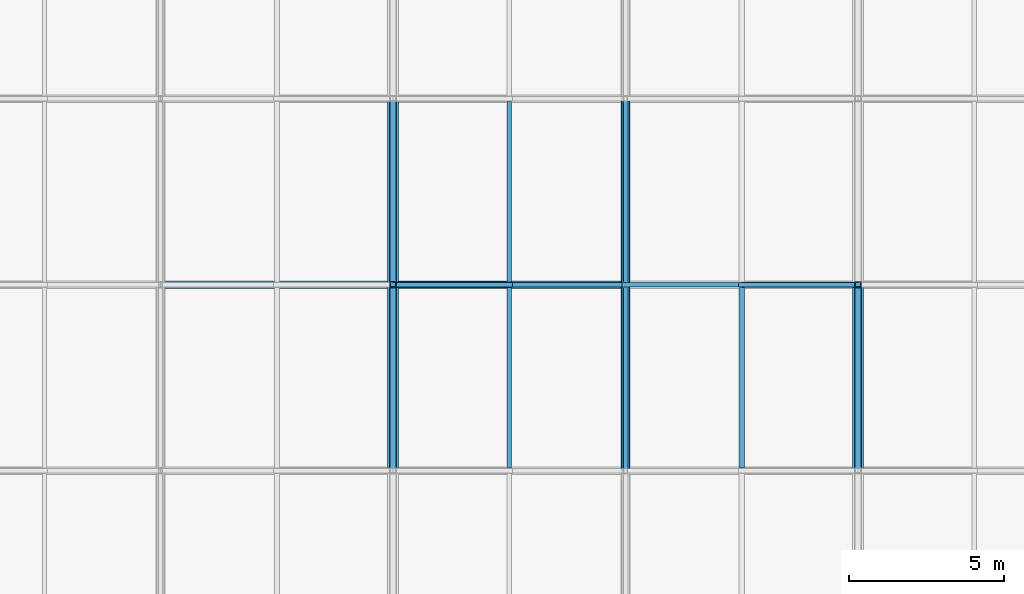
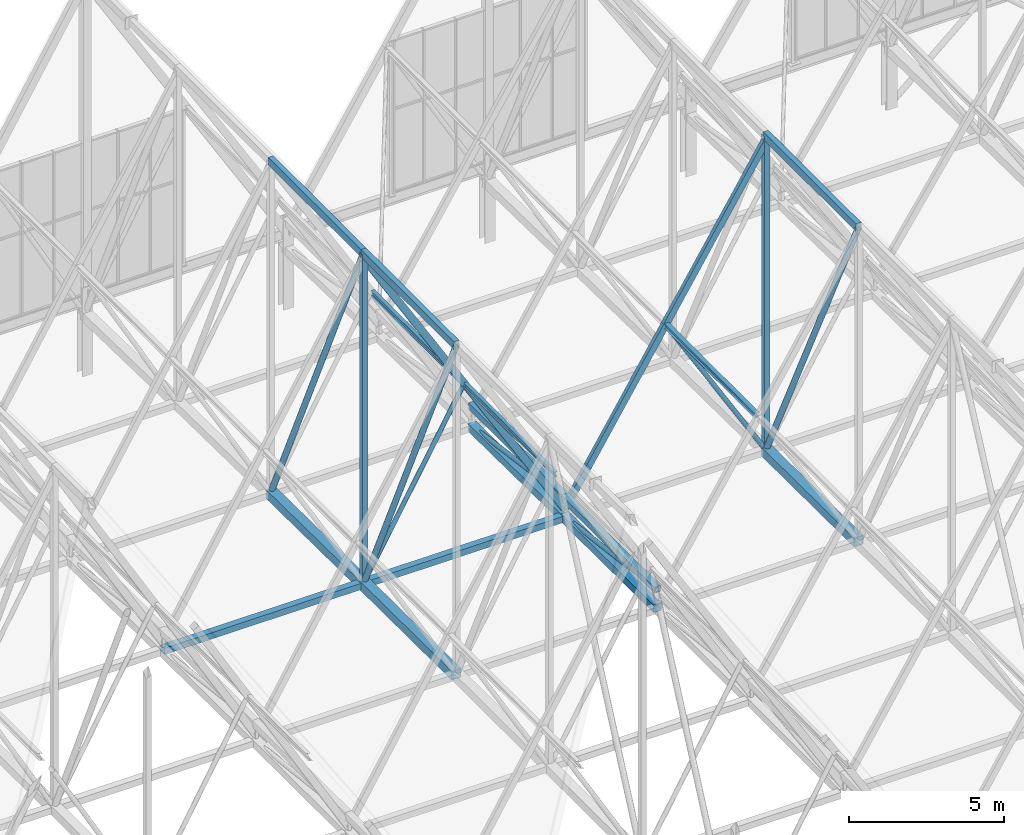
# One storey, part 161 of 324: 24 members, 3 beams.
"""IFC4 building model written with IfcOpenShell, lengths in metres."""

from ifc_helpers import new_model, si_unit, direction, frame, origin, origin_2d, place, context, subcontext, project, spatial, hollow_rectangle, hollow_circle, i_section, extrude, material, material_profile, profile_set, type_object, element, save


model = new_model("IFC4")

# Units and contexts
model_context = context("Model", 3, precision=1e-05, world=origin(), true_north=direction((0.0, 1.0)))
body_context = subcontext(model_context, "Body", "Model", "MODEL_VIEW")
ifc_project = project(units=[si_unit("LENGTHUNIT", "METRE"), si_unit("AREAUNIT", "SQUARE_METRE"), si_unit("VOLUMEUNIT", "CUBIC_METRE"), si_unit("PLANEANGLEUNIT", "RADIAN"), si_unit("MASSUNIT", "GRAM", prefix="KILO")], contexts=[model_context])

# Site, building, storey
site_placement = place(None, origin())
site = spatial("IfcSite", under=ifc_project, at=site_placement, CompositionType="ELEMENT")
building_placement = place(site_placement, origin())
building = spatial("IfcBuilding", under=site, at=building_placement, Name="Solvenia Promenade Tram Depot", CompositionType="ELEMENT")
storey_placement = place(building_placement, frame((0.0, 0.0, 4.5)))
storey = spatial("IfcBuildingStorey", under=building, at=storey_placement, Name="L01", CompositionType="ELEMENT", Elevation=4.5)

# Members
ifc_material_1 = material(Name="Structural steel ASTM A500 Gr. C", Category="steel")
ifc_material_profile_1 = material_profile(ifc_material_1, hollow_circle(Radius=0.109619140625, WallThickness=0.008056640625, at=origin_2d()), Name="CHS219.1x8", Category="steel")
ifc_profile_set_1 = profile_set([ifc_material_profile_1], Name="Structural steel ASTM A500 Gr. C")
member_type_1 = type_object("IfcMemberType", Name="Brace-CHS219x8", PredefinedType="BRACE", material=ifc_profile_set_1)
member_1_placement = place(storey_placement, frame((112.5, 108.0, 2.614013671875), z_axis=(0.0, -0.418183944587, 0.908362366289), x_axis=(1.0, 0.0, 0.0)))
element("IfcMember", 1, at=member_1_placement, inside=storey, type_object=member_type_1, Name="Arched Truss T16 Web Diagonal S07", PredefinedType="BRACE", context=body_context, shape_type="SweptSolid", body=[
    extrude(hollow_circle(Radius=0.109619140625, WallThickness=0.008056640625, at=origin_2d()), origin(), (0.0, 0.0, 1.0), 14.34765625),
])
member_2_placement = place(storey_placement, frame((112.5, 114.0, 2.5439453125), z_axis=(0.0, -0.416336188857, 0.909210744464), x_axis=(1.0, 0.0, 0.0)))
element("IfcMember", 2, at=member_2_placement, inside=storey, type_object=member_type_1, Name="Arched Truss T16 Web Diagonal S08", PredefinedType="BRACE", context=body_context, shape_type="SweptSolid", body=[
    extrude(hollow_circle(Radius=0.109619140625, WallThickness=0.008056640625, at=origin_2d()), origin(), (0.0, 0.0, 1.0), 14.411376953125),
])
member_3_placement = place(storey_placement, frame((127.5, 108.0, 2.614013671875), z_axis=(0.0, -0.43482130343, 0.900516759468), x_axis=(1.0, 0.0, 0.0)))
element("IfcMember", 3, at=member_3_placement, inside=storey, type_object=member_type_1, Name="Arched Truss T18 Web Diagonal S07", PredefinedType="BRACE", context=body_context, shape_type="SweptSolid", body=[
    extrude(hollow_circle(Radius=0.109619140625, WallThickness=0.008056640625, at=origin_2d()), origin(), (0.0, 0.0, 1.0), 13.798828125),
])
ifc_material_profile_2 = material_profile(ifc_material_1, hollow_rectangle(XDim=0.14990234375, YDim=0.25, WallThickness=0.010009765625, at=origin_2d()), Name="HSS250x150x10", Category="steel")
ifc_profile_set_2 = profile_set([ifc_material_profile_2], Name="Structural steel ASTM A500 Gr. C")
member_type_2 = type_object("IfcMemberType", Name="Chord-HSS250x150x10", PredefinedType="CHORD", material=ifc_profile_set_2)
for number, where, z_axis, x_axis, name in (
    (4, (112.5, 108.0, 15.42724609375), (0.514584433357, 0.0, -0.857439712718), (0.0, 1.0, 0.0), "Zigzag Gable 08 East Upper Rafter"),
    (5, (116.25, 108.0, 9.1787109375), (0.514584433357, 0.0, -0.857439712718), (0.0, 1.0, 0.0), "Zigzag Gable 08 East Lower Rafter"),
):
    element("IfcMember", number, at=place(storey_placement, frame(where, z_axis=z_axis, x_axis=x_axis)), inside=storey, type_object=member_type_2, Name=name, PredefinedType="CHORD", context=body_context, shape_type="SweptSolid", body=[
        extrude(hollow_rectangle(XDim=0.14990234375, YDim=0.25, WallThickness=0.010009765625, at=origin_2d()), origin(), (0.0, 0.0, 1.0), 7.287353515625),
    ])
member_4_placement = place(storey_placement, frame((120.0, 108.0, 2.942626953125), z_axis=(0.533506771487, 0.0, 0.845795793781), x_axis=(0.0, 1.0, 0.0)))
element("IfcMember", 6, at=member_4_placement, inside=storey, type_object=member_type_2, Name="Zigzag Gable 09 West Lower Rafter", PredefinedType="CHORD", context=body_context, shape_type="SweptSolid", body=[
    extrude(hollow_rectangle(XDim=0.14990234375, YDim=0.25, WallThickness=0.010009765625, at=origin_2d()), origin(), (0.0, 0.0, 1.0), 7.029052734375),
])
member_5_placement = place(storey_placement, frame((123.75, 108.0, 8.8876953125), z_axis=(0.533522444929, 0.0, 0.845785907164), x_axis=(0.0, 1.0, 0.0)))
element("IfcMember", 7, at=member_5_placement, inside=storey, type_object=member_type_2, Name="Zigzag Gable 09 West Upper Rafter", PredefinedType="CHORD", context=body_context, shape_type="SweptSolid", body=[
    extrude(hollow_rectangle(XDim=0.14990234375, YDim=0.25, WallThickness=0.010009765625, at=origin_2d()), origin(), (0.0, 0.0, 1.0), 7.02880859375),
])
ifc_material_profile_3 = material_profile(ifc_material_1, hollow_rectangle(XDim=0.25, YDim=0.25, WallThickness=0.010009765625, at=origin_2d()), Name="HSS250x250x10", Category="steel")
ifc_profile_set_3 = profile_set([ifc_material_profile_3], Name="Structural steel ASTM A500 Gr. C")
member_type_3 = type_object("IfcMemberType", Name="Chord-HSS250x250x10", PredefinedType="CHORD", material=ifc_profile_set_3)
for number, where, z_axis, x_axis, name in (
    (8, (120.0, 102.0, 3.3798828125), (0.0, 1.0, 0.0), (-1.0, 0.0, 0.0), "Arched Truss T17 Upper Chord S07"),
    (9, (120.0, 108.0, 3.3798828125), (0.0, 1.0, 0.0), (-1.0, 0.0, 0.0), "Arched Truss T17 Upper Chord S08"),
):
    element("IfcMember", number, at=place(storey_placement, frame(where, z_axis=z_axis, x_axis=x_axis)), inside=storey, type_object=member_type_3, Name=name, PredefinedType="CHORD", context=body_context, shape_type="SweptSolid", body=[
        extrude(hollow_rectangle(XDim=0.25, YDim=0.25, WallThickness=0.010009765625, at=origin_2d()), origin(), (0.0, 0.0, 1.0), 6.0),
    ])
member_6_placement = place(storey_placement, frame((105.0, 108.0, 2.614013671875), z_axis=(1.0, 0.0, 0.0), x_axis=(0.0, 1.0, 0.0)))
element("IfcMember", 10, at=member_6_placement, inside=storey, type_object=member_type_3, Name="Bottom-Chord Catenary Lateral Tie 070", PredefinedType="CHORD", context=body_context, shape_type="SweptSolid", body=[
    extrude(hollow_rectangle(XDim=0.25, YDim=0.25, WallThickness=0.010009765625, at=origin_2d()), origin(), (0.0, 0.0, 1.0), 15.0),
])
ifc_material_profile_4 = material_profile(ifc_material_1, hollow_rectangle(XDim=0.199951171875, YDim=0.300048828125, WallThickness=0.012451171875, at=origin_2d()), Name="HSS300x200x12.5", Category="steel")
ifc_profile_set_4 = profile_set([ifc_material_profile_4], Name="Structural steel ASTM A500 Gr. C")
member_type_4 = type_object("IfcMemberType", Name="Chord-HSS300x200x12", PredefinedType="CHORD", material=ifc_profile_set_4)
for number, where, z_axis, x_axis, name in (
    (11, (112.5, 102.0, 15.64697265625), (0.0, 1.0, 0.0), (-1.0, 0.0, 0.0), "Arched Truss T16 Upper Chord S07"),
    (12, (112.5, 108.0, 15.64697265625), (0.0, 1.0, 0.0), (-1.0, 0.0, 0.0), "Arched Truss T16 Upper Chord S08"),
    (13, (127.5, 102.0, 15.0400390625), (0.0, 1.0, 0.0), (-1.0, 0.0, 0.0), "Arched Truss T18 Upper Chord S07"),
):
    element("IfcMember", number, at=place(storey_placement, frame(where, z_axis=z_axis, x_axis=x_axis)), inside=storey, type_object=member_type_4, Name=name, PredefinedType="CHORD", context=body_context, shape_type="SweptSolid", body=[
        extrude(hollow_rectangle(XDim=0.199951171875, YDim=0.300048828125, WallThickness=0.012451171875, at=origin_2d()), origin(), (0.0, 0.0, 1.0), 6.0),
    ])
ifc_material_profile_5 = material_profile(ifc_material_1, hollow_rectangle(XDim=0.300048828125, YDim=0.300048828125, WallThickness=0.012451171875, at=origin_2d()), Name="HSS300x300x12.5", Category="steel")
ifc_profile_set_5 = profile_set([ifc_material_profile_5], Name="Structural steel ASTM A500 Gr. C")
member_type_5 = type_object("IfcMemberType", Name="Chord-HSS300x300x12", PredefinedType="CHORD", material=ifc_profile_set_5)
member_7_placement = place(storey_placement, frame((120.0, 102.0, 2.656005859375), z_axis=(0.0, 0.999975510013, -0.006998526519), x_axis=(-1.0, 0.0, 0.0)))
element("IfcMember", 14, at=member_7_placement, inside=storey, type_object=member_type_5, Name="Arched Truss T17 Bottom Chord S07", PredefinedType="CHORD", context=body_context, shape_type="SweptSolid", body=[
    extrude(hollow_rectangle(XDim=0.300048828125, YDim=0.300048828125, WallThickness=0.012451171875, at=origin_2d()), origin(), (0.0, 0.0, 1.0), 6.000244140625),
])
member_8_placement = place(storey_placement, frame((120.0, 108.0, 2.614013671875), z_axis=(0.0, 0.999931818432, -0.011677263667), x_axis=(-1.0, 0.0, 0.0)))
element("IfcMember", 15, at=member_8_placement, inside=storey, type_object=member_type_5, Name="Arched Truss T17 Bottom Chord S08", PredefinedType="CHORD", context=body_context, shape_type="SweptSolid", body=[
    extrude(hollow_rectangle(XDim=0.300048828125, YDim=0.300048828125, WallThickness=0.012451171875, at=origin_2d()), origin(), (0.0, 0.0, 1.0), 6.00048828125),
])
ifc_material_profile_6 = material_profile(ifc_material_1, hollow_rectangle(XDim=0.35009765625, YDim=0.35009765625, WallThickness=0.01611328125, at=origin_2d()), Name="HSS350x350x16", Category="steel")
ifc_profile_set_6 = profile_set([ifc_material_profile_6], Name="Structural steel ASTM A500 Gr. C")
member_type_6 = type_object("IfcMemberType", Name="Chord-HSS350x350x16", PredefinedType="CHORD", material=ifc_profile_set_6)
member_9_placement = place(storey_placement, frame((112.5, 102.0, 2.656005859375), z_axis=(0.0, 0.999975510013, -0.006998526519), x_axis=(-1.0, 0.0, 0.0)))
element("IfcMember", 16, at=member_9_placement, inside=storey, type_object=member_type_6, Name="Arched Truss T16 Bottom Chord S07", PredefinedType="CHORD", context=body_context, shape_type="SweptSolid", body=[
    extrude(hollow_rectangle(XDim=0.35009765625, YDim=0.35009765625, WallThickness=0.01611328125, at=origin_2d()), origin(), (0.0, 0.0, 1.0), 6.000244140625),
])
member_10_placement = place(storey_placement, frame((112.5, 108.0, 2.614013671875), z_axis=(0.0, 0.999931818432, -0.011677263667), x_axis=(-1.0, 0.0, 0.0)))
element("IfcMember", 17, at=member_10_placement, inside=storey, type_object=member_type_6, Name="Arched Truss T16 Bottom Chord S08", PredefinedType="CHORD", context=body_context, shape_type="SweptSolid", body=[
    extrude(hollow_rectangle(XDim=0.35009765625, YDim=0.35009765625, WallThickness=0.01611328125, at=origin_2d()), origin(), (0.0, 0.0, 1.0), 6.00048828125),
])
member_11_placement = place(storey_placement, frame((127.5, 102.0, 2.656005859375), z_axis=(0.0, 0.999975510013, -0.006998526519), x_axis=(-1.0, 0.0, 0.0)))
element("IfcMember", 18, at=member_11_placement, inside=storey, type_object=member_type_6, Name="Arched Truss T18 Bottom Chord S07", PredefinedType="CHORD", context=body_context, shape_type="SweptSolid", body=[
    extrude(hollow_rectangle(XDim=0.35009765625, YDim=0.35009765625, WallThickness=0.01611328125, at=origin_2d()), origin(), (0.0, 0.0, 1.0), 6.000244140625),
])
ifc_material_profile_7 = material_profile(ifc_material_1, hollow_rectangle(XDim=0.199951171875, YDim=0.199951171875, WallThickness=0.010009765625, at=origin_2d()), Name="HSS200x200x10", Category="steel")
ifc_profile_set_7 = profile_set([ifc_material_profile_7], Name="Structural steel ASTM A500 Gr. C")
member_type_7 = type_object("IfcMemberType", Name="Post-HSS200x200x10", PredefinedType="POST", material=ifc_profile_set_7)
member_12_placement = place(storey_placement, frame((112.5, 108.0, 2.614013671875), z_axis=(0.0, 0.0, 1.0), x_axis=(1.0, 0.0, 0.0)))
element("IfcMember", 19, at=member_12_placement, inside=storey, type_object=member_type_7, Name="Arched Truss T16 Web Post S07", PredefinedType="POST", context=body_context, shape_type="SweptSolid", body=[
    extrude(hollow_rectangle(XDim=0.199951171875, YDim=0.199951171875, WallThickness=0.010009765625, at=origin_2d()), origin(), (0.0, 0.0, 1.0), 13.032958984375),
])
member_13_placement = place(storey_placement, frame((127.5, 108.0, 2.614013671875), z_axis=(0.0, 0.0, 1.0), x_axis=(1.0, 0.0, 0.0)))
element("IfcMember", 20, at=member_13_placement, inside=storey, type_object=member_type_7, Name="Arched Truss T18 Web Post S07", PredefinedType="POST", context=body_context, shape_type="SweptSolid", body=[
    extrude(hollow_rectangle(XDim=0.199951171875, YDim=0.199951171875, WallThickness=0.010009765625, at=origin_2d()), origin(), (0.0, 0.0, 1.0), 12.426025390625),
])

# Beams
ifc_material_2 = material(Name="Structural steel ASTM A992 Gr. 50", Category="steel")
ifc_material_profile_8 = material_profile(ifc_material_2, i_section(OverallWidth=0.133056640625, OverallDepth=0.20703125, WebThickness=0.005859375, FlangeThickness=0.00830078125, FilletRadius=0.009033203125, at=origin_2d()), Name="W200x27", Category="steel")
ifc_profile_set_8 = profile_set([ifc_material_profile_8], Name="Structural steel ASTM A992 Gr. 50")
beam_type_1 = type_object("IfcBeamType", Name="Purlin-W200x27", PredefinedType="USERDEFINED", material=ifc_profile_set_8)
for number, where, z_axis, x_axis, name in (
    (21, (116.25, 102.0849609375, 9.169677734375), (0.0, 1.0, 0.0), (-1.0, 0.0, 0.0), "Gable Roof Purlin E-0154"),
    (22, (116.25, 108.0849609375, 9.169677734375), (0.0, 1.0, 0.0), (-1.0, 0.0, 0.0), "Gable Roof Purlin E-0156"),
):
    element("IfcBeam", number, at=place(storey_placement, frame(where, z_axis=z_axis, x_axis=x_axis)), inside=storey, type_object=beam_type_1, Name=name, ObjectType="PURLIN", PredefinedType="USERDEFINED", context=body_context, shape_type="SweptSolid", body=[
        extrude(i_section(OverallWidth=0.133056640625, OverallDepth=0.20703125, WebThickness=0.005859375, FlangeThickness=0.00830078125, FilletRadius=0.009033203125, at=origin_2d()), origin(), (0.0, 0.0, 1.0), 5.830078125),
    ])
ifc_material_profile_9 = material_profile(ifc_material_2, i_section(OverallWidth=0.1650390625, OverallDepth=0.200927734375, WebThickness=0.006103515625, FlangeThickness=0.01025390625, FilletRadius=0.010009765625, at=origin_2d()), Name="W200x36", Category="steel")
ifc_profile_set_9 = profile_set([ifc_material_profile_9], Name="Structural steel ASTM A992 Gr. 50")
beam_type_2 = type_object("IfcBeamType", Name="Purlin-W200x36", PredefinedType="USERDEFINED", material=ifc_profile_set_9)
beam_placement = place(storey_placement, frame((123.75, 102.0849609375, 8.8857421875), z_axis=(0.0, 1.0, 0.0), x_axis=(-1.0, 0.0, 0.0)))
element("IfcBeam", 23, at=beam_placement, inside=storey, type_object=beam_type_2, Name="Gable Roof Purlin W-0173", ObjectType="PURLIN", PredefinedType="USERDEFINED", context=body_context, shape_type="SweptSolid", body=[
    extrude(i_section(OverallWidth=0.1650390625, OverallDepth=0.200927734375, WebThickness=0.006103515625, FlangeThickness=0.01025390625, FilletRadius=0.010009765625, at=origin_2d()), origin(), (0.0, 0.0, 1.0), 5.830078125),
])

# Members
ifc_material_profile_10 = material_profile(ifc_material_1, hollow_circle(Radius=0.084228515625, WallThickness=0.008056640625, at=origin_2d()), Name="CHS168.3x8", Category="steel")
ifc_profile_set_10 = profile_set([ifc_material_profile_10], Name="Structural steel ASTM A500 Gr. C")
member_type_8 = type_object("IfcMemberType", Name="WebDiag-CHS168x8", PredefinedType="BRACE", material=ifc_profile_set_10)
member_14_placement = place(storey_placement, frame((120.0, 108.0, 2.614013671875), z_axis=(0.0, -0.991951613347, 0.126617521609), x_axis=(1.0, 0.0, 0.0)))
element("IfcMember", 24, at=member_14_placement, inside=storey, type_object=member_type_8, Name="Arched Truss T17 Web Diagonal S07", PredefinedType="BRACE", context=body_context, shape_type="SweptSolid", body=[
    extrude(hollow_circle(Radius=0.084228515625, WallThickness=0.008056640625, at=origin_2d()), origin(), (0.0, 0.0, 1.0), 6.048583984375),
])
member_15_placement = place(storey_placement, frame((120.0, 114.0, 2.5439453125), z_axis=(0.0, -0.990433608353, 0.13799009908), x_axis=(1.0, 0.0, 0.0)))
element("IfcMember", 25, at=member_15_placement, inside=storey, type_object=member_type_8, Name="Arched Truss T17 Web Diagonal S08", PredefinedType="BRACE", context=body_context, shape_type="SweptSolid", body=[
    extrude(hollow_circle(Radius=0.084228515625, WallThickness=0.008056640625, at=origin_2d()), origin(), (0.0, 0.0, 1.0), 6.057861328125),
])
member_16_placement = place(storey_placement, frame((112.5, 108.0, 2.614013671875), z_axis=(0.496013737424, 0.0, 0.868314673541), x_axis=(0.0, 1.0, 0.0)))
element("IfcMember", 26, at=member_16_placement, inside=storey, type_object=member_type_8, Name="Zigzag Gable 08 East Knee Strut", PredefinedType="BRACE", context=body_context, shape_type="SweptSolid", body=[
    extrude(hollow_circle(Radius=0.084228515625, WallThickness=0.008056640625, at=origin_2d()), origin(), (0.0, 0.0, 1.0), 7.560302734375),
])
member_17_placement = place(storey_placement, frame((127.5, 108.0, 2.614013671875), z_axis=(-0.513065601132, 0.0, 0.858349397935), x_axis=(0.0, -1.0, 0.0)))
element("IfcMember", 27, at=member_17_placement, inside=storey, type_object=member_type_8, Name="Zigzag Gable 09 West Knee Strut", PredefinedType="BRACE", context=body_context, shape_type="SweptSolid", body=[
    extrude(hollow_circle(Radius=0.084228515625, WallThickness=0.008056640625, at=origin_2d()), origin(), (0.0, 0.0, 1.0), 7.30908203125),
])

save(model, "model.ifc")
